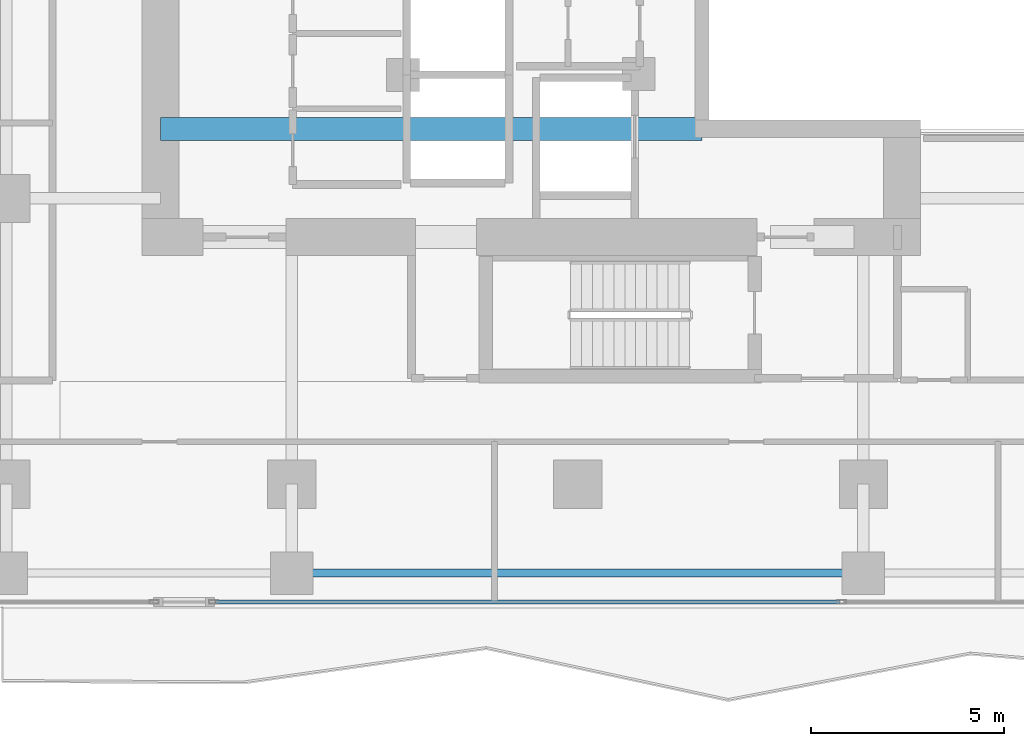
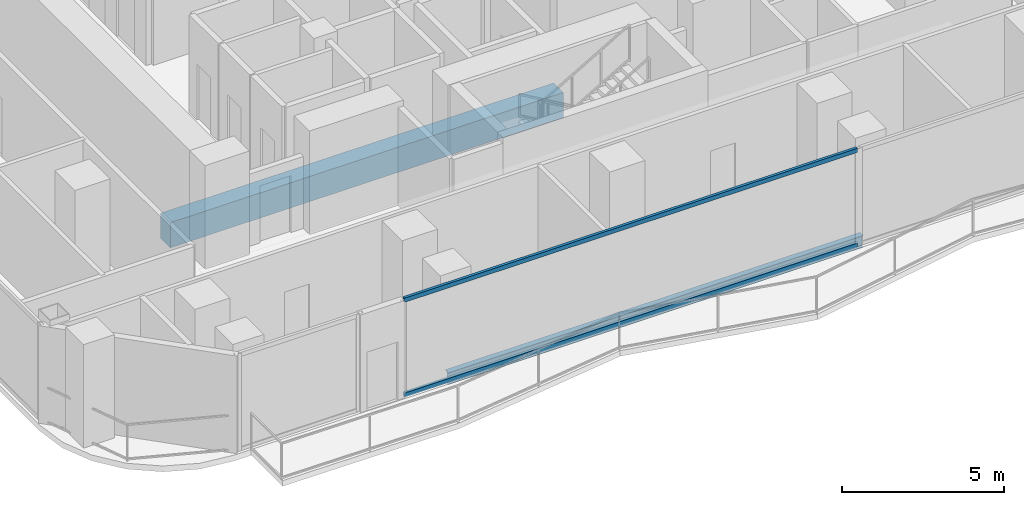
# One storey, part 3 of 27: 2 beams, 2 members, 1 element without a shape of its own.
"""IFC4 building model written with IfcOpenShell, lengths in metres."""

import ifcopenshell
import ifcopenshell.guid

model = None  # the IFC model being written
_history = None  # IfcOwnerHistory: only IFC2X3 demands one
_inside = {}  # id of a spatial element -> (the spatial element, [elements in it])
_under = {}  # id of a project, library or spatial element -> (it, [spatial elements below it])
_declared = {}  # id of a project -> (the project, [libraries it declares])
_typed = {}  # id of a type object -> (the type object, [elements of that type])
_made_of = {}  # id of a material, layer set ... -> (it, [elements and type objects made of it])


def new_model(schema):
    """Start an empty IFC model of exactly this schema.

    Asked for "IFC4X3", IfcOpenShell would pick the latest addendum, in which some entities
    have other attributes; the version numbers below select the first issue.
    IFC2X3 requires an IfcOwnerHistory on every rooted entity: one is made here for all.
    """
    global model, _history
    if schema == "IFC4X3":
        model = ifcopenshell.file(schema_version=(4, 3, 0, 0))
    else:
        model = ifcopenshell.file(schema=schema)
    _inside.clear()
    _under.clear()
    _declared.clear()
    _typed.clear()
    _made_of.clear()
    _history = None
    if model.schema == "IFC2X3":
        org = make("IfcOrganization", Name="unknown")
        user = make(
            "IfcPersonAndOrganization",
            ThePerson=make("IfcPerson", FamilyName="unknown"),
            TheOrganization=org,
        )
        app = make(
            "IfcApplication",
            ApplicationDeveloper=org,
            Version="unknown",
            ApplicationFullName="unknown",
            ApplicationIdentifier="unknown",
        )
        _history = make(
            "IfcOwnerHistory",
            OwningUser=user,
            OwningApplication=app,
            ChangeAction="ADDED",
            CreationDate=0,
        )
    return model


def make(cls, **values):
    """One entity of the class cls with the attributes given. An attribute that is None is left unset."""
    return model.create_entity(
        cls, **{name: value for name, value in values.items() if value is not None}
    )


def rooted(cls, **values):
    """An entity with a GlobalId (a new one), such as an element, a storey or a relation."""
    return make(cls, GlobalId=ifcopenshell.guid.new(), OwnerHistory=_history, **values)


def si_unit(unit_type, name, prefix=None):
    """IfcSIUnit, for example si_unit("LENGTHUNIT", "METRE", prefix="MILLI")."""
    return make("IfcSIUnit", UnitType=unit_type, Prefix=prefix, Name=name)


def assignment(units):
    """IfcUnitAssignment: the units of a project."""
    return None if units is None else make("IfcUnitAssignment", Units=units)


def point(xyz):
    """IfcCartesianPoint."""
    return None if xyz is None else make("IfcCartesianPoint", Coordinates=xyz)


def direction(xyz):
    """IfcDirection."""
    return None if xyz is None else make("IfcDirection", DirectionRatios=xyz)


def frame(location, z_axis=None, x_axis=None):
    """IfcAxis2Placement3D, a coordinate frame: its origin and axes. An axis left out is left unset."""
    return make(
        "IfcAxis2Placement3D",
        Location=point(location),
        Axis=direction(z_axis),
        RefDirection=direction(x_axis),
    )


def frame_2d(location, x_axis=None):
    """IfcAxis2Placement2D, a coordinate frame in the plane: its origin and x axis."""
    return make(
        "IfcAxis2Placement2D", Location=point(location), RefDirection=direction(x_axis)
    )


def origin():
    """The frame at (0, 0, 0) with its axes left unset."""
    return frame((0.0, 0.0, 0.0))


def origin_2d():
    """The frame at (0, 0) in the plane with its x axis left unset."""
    return frame_2d((0.0, 0.0))


def place(relative_to, where):
    """IfcLocalPlacement: puts the frame where relative to a parent placement (None: the world)."""
    return make(
        "IfcLocalPlacement", PlacementRelTo=relative_to, RelativePlacement=where
    )


def context(
    kind, dimensions, precision=None, world=None, true_north=None, identifier=None
):
    """IfcGeometricRepresentationContext, for example the 3D "Model" context."""
    return make(
        "IfcGeometricRepresentationContext",
        ContextIdentifier=identifier,
        ContextType=kind,
        CoordinateSpaceDimension=dimensions,
        Precision=precision,
        WorldCoordinateSystem=world,
        TrueNorth=true_north,
    )


def subcontext(parent, identifier, kind, view, scale=None):
    """IfcGeometricRepresentationSubContext, for example "Body" below "Model"."""
    return make(
        "IfcGeometricRepresentationSubContext",
        ContextIdentifier=identifier,
        ContextType=kind,
        ParentContext=parent,
        TargetScale=scale,
        TargetView=view,
    )


def project(units=None, contexts=None):
    """IfcProject with its units and contexts."""
    return rooted(
        "IfcProject",
        Name="project",
        RepresentationContexts=contexts,
        UnitsInContext=assignment(units),
    )


def spatial(cls, under=None, at=None, **own):
    """A site, building, storey or space (cls), placed at a placement, below another one or the project."""
    s = rooted(cls, ObjectPlacement=at, **own)
    if under is not None:
        _under.setdefault(under.id(), (under, []))[1].append(s)
    return s


def profile(cls, at=None, kind="AREA", **sizes):
    """A parametric profile (cls). Its sizes go by their IFC names, for example OverallWidth=200.0."""
    return make(cls, ProfileType=kind, Position=at, **sizes)


def rectangle(**sizes):
    """IfcRectangleProfileDef."""
    return profile("IfcRectangleProfileDef", **sizes)


def hollow_rectangle(**sizes):
    """IfcRectangleHollowProfileDef."""
    return profile("IfcRectangleHollowProfileDef", **sizes)


def i_section(**sizes):
    """IfcIShapeProfileDef."""
    return profile("IfcIShapeProfileDef", **sizes)


def extrude(swept, where, along, depth):
    """IfcExtrudedAreaSolid: the profile swept, set in the frame where, extruded along a direction by depth."""
    return make(
        "IfcExtrudedAreaSolid",
        SweptArea=swept,
        Position=where,
        ExtrudedDirection=direction(along),
        Depth=depth,
    )


def shape(context_of_items, identifier, shape_type, items):
    """IfcShapeRepresentation: the items that make up one representation, for example the "Body"."""
    return make(
        "IfcShapeRepresentation",
        ContextOfItems=context_of_items,
        RepresentationIdentifier=identifier,
        RepresentationType=shape_type,
        Items=items,
    )


def material(Name=None, Category=None):
    """IfcMaterial."""
    return make("IfcMaterial", Name=Name, Category=Category)


def layer(
    of_material, thickness, ventilated=None, Name=None, Category=None, Priority=None
):
    """IfcMaterialLayer: one layer of a wall or slab, of a material (None: an air gap)."""
    return make(
        "IfcMaterialLayer",
        Material=of_material,
        LayerThickness=thickness,
        IsVentilated=ventilated,
        Name=Name,
        Category=Category,
        Priority=Priority,
    )


def layer_set(layers, Name=None):
    """IfcMaterialLayerSet."""
    return make("IfcMaterialLayerSet", MaterialLayers=layers, LayerSetName=Name)


def material_profile(
    of_material, cross_section, Name=None, Category=None, Priority=None
):
    """IfcMaterialProfile: a cross section and its material."""
    return make(
        "IfcMaterialProfile",
        Name=Name,
        Material=of_material,
        Profile=cross_section,
        Priority=Priority,
        Category=Category,
    )


def profile_set(profiles, Name=None, composite=None):
    """IfcMaterialProfileSet."""
    return make(
        "IfcMaterialProfileSet",
        Name=Name,
        MaterialProfiles=profiles,
        CompositeProfile=composite,
    )


def made_of(thing, what):
    """Note that an element or type object is made of a material, layer set ...; save() writes the relation."""
    if what is not None:
        _made_of.setdefault(what.id(), (what, []))[1].append(thing)
    return thing


def type_object(cls, material=None, **own):
    """A type object (cls), such as IfcWallType, which elements share."""
    return made_of(rooted(cls, **own), material)


def element(
    cls,
    number,
    at=None,
    inside=None,
    cuts=None,
    type_object=None,
    material=None,
    context=None,
    identifier="Body",
    shape_type=None,
    held_by="IfcProductDefinitionShape",
    body=None,
    shapes=None,
    **own,
):
    """One element of the class cls, such as IfcWall. Its Tag is "e" and its number.

    at: its placement. inside: the storey or other place that contains it. cuts: it is an
    opening in that element (IfcRelVoidsElement). A single representation is given by context,
    identifier, shape_type and body (its items); several are given by shapes. held_by: the class
    of the entity that holds the representations. save() writes the other relations.
    """
    e = rooted(cls, Tag="e%d" % number, ObjectPlacement=at, **own)
    if body is not None:
        shapes = [shape(context, identifier, shape_type, body)]
    if shapes is not None:
        e.Representation = make(held_by, Representations=shapes)
    if inside is not None:
        _inside.setdefault(inside.id(), (inside, []))[1].append(e)
    if cuts is not None:
        rooted(
            "IfcRelVoidsElement", RelatingBuildingElement=cuts, RelatedOpeningElement=e
        )
    if type_object is not None:
        _typed.setdefault(type_object.id(), (type_object, []))[1].append(e)
    return made_of(e, material)


def aggregate(whole, parts):
    """IfcRelAggregates: a whole, such as a stair, and the parts it consists of."""
    return rooted("IfcRelAggregates", RelatingObject=whole, RelatedObjects=parts)


def save(model, path):
    """Write the relations noted so far, then the file.

    IfcRelAggregates (storeys below a building ...), IfcRelContainedInSpatialStructure (elements
    in a storey), IfcRelDefinesByType, IfcRelAssociatesMaterial and IfcRelDeclares: one each for
    every whole, place, type object, material and project.
    """
    for whole, parts in _under.values():
        aggregate(whole, parts)
    for where, things in _inside.values():
        rooted(
            "IfcRelContainedInSpatialStructure",
            RelatedElements=things,
            RelatingStructure=where,
        )
    for kind, things in _typed.values():
        rooted("IfcRelDefinesByType", RelatedObjects=things, RelatingType=kind)
    for what, things in _made_of.values():
        rooted("IfcRelAssociatesMaterial", RelatedObjects=things, RelatingMaterial=what)
    for by, libraries in _declared.values():
        rooted("IfcRelDeclares", RelatingContext=by, RelatedDefinitions=libraries)
    model.write(path)


model = new_model("IFC4")

# Units and contexts
model_context = context("Model", 3, precision=1e-05, world=origin(), true_north=direction((0.0, 1.0)))
body_context = subcontext(model_context, "Body", "Model", "MODEL_VIEW")
ifc_project = project(units=[si_unit("LENGTHUNIT", "METRE"), si_unit("AREAUNIT", "SQUARE_METRE"), si_unit("VOLUMEUNIT", "CUBIC_METRE"), si_unit("PLANEANGLEUNIT", "RADIAN"), si_unit("MASSUNIT", "GRAM", prefix="KILO")], contexts=[model_context])

# Site, building, storey
site_placement = place(None, origin())
site = spatial("IfcSite", under=ifc_project, at=site_placement, CompositionType="ELEMENT")
building_placement = place(site_placement, origin())
building = spatial("IfcBuilding", under=site, at=building_placement, Name="Khorvyn Point Tower", CompositionType="ELEMENT")
storey_placement = place(building_placement, frame((0.0, 0.0, 125.10009765625)))
storey = spatial("IfcBuildingStorey", under=building, at=storey_placement, Name="L31", CompositionType="ELEMENT", Elevation=125.10009765625)

# Curtain wall, members
ifc_material_1 = material(Name="Anodised aluminium 6063-T6 and laminated Low-E glass", Category="aluminium")
ifc_layer = layer(ifc_material_1, 0.18994140625)
ifc_layer_set = layer_set([ifc_layer], Name="Stick-Built Acoustic Curtain Wall CW-SYS-03")
curtain_wall_type = type_object("IfcCurtainWallType", Name="Stick-Built Acoustic Curtain Wall CW-SYS-03", PredefinedType="NOTDEFINED", material=ifc_layer_set)
curtain_wall_placement = place(storey_placement, origin())
curtain_wall = element("IfcCurtainWall", 1, at=curtain_wall_placement, inside=storey, type_object=curtain_wall_type, Name="Curtain Wall", PredefinedType="NOTDEFINED")
ifc_material_2 = material(Name="Anodised aluminium 6063-T6", Category="aluminium")
ifc_material_profile_1 = material_profile(ifc_material_2, hollow_rectangle(XDim=0.10009765625, YDim=0.159912109375, WallThickness=0.00439453125, at=origin_2d()))
ifc_profile_set_1 = profile_set([ifc_material_profile_1], Name="Anodised aluminium 6063-T6 ALU-TRN-100x160")
member_type = type_object("IfcMemberType", Name="Anodised Aluminium 6063-T6 Transom ALU-TRN-100x160", PredefinedType="USERDEFINED", material=ifc_profile_set_1)
member_1_placement = place(storey_placement, frame((6.78857421875, -17.85009765625, 0.0498046875), z_axis=(-1.0, 0.0, 0.0), x_axis=(0.0, -1.0, 0.0)))
member_1 = element("IfcMember", 2, at=member_1_placement, type_object=member_type, Name="Transom", ObjectType="TRANSOM", PredefinedType="USERDEFINED", context=body_context, shape_type="SweptSolid", body=[
    extrude(hollow_rectangle(XDim=0.10009765625, YDim=0.159912109375, WallThickness=0.00439453125, at=origin_2d()), origin(), (0.0, 0.0, 1.0), 16.16162109375),
])
member_2_placement = place(storey_placement, frame((6.78857421875, -17.85009765625, 3.6298828125), z_axis=(-1.0, 0.0, 0.0), x_axis=(0.0, -1.0, 0.0)))
member_2 = element("IfcMember", 3, at=member_2_placement, type_object=member_type, Name="Transom", ObjectType="TRANSOM", PredefinedType="USERDEFINED", context=body_context, shape_type="SweptSolid", body=[
    extrude(hollow_rectangle(XDim=0.10009765625, YDim=0.159912109375, WallThickness=0.00439453125, at=origin_2d()), origin(), (0.0, 0.0, 1.0), 16.16162109375),
])
aggregate(curtain_wall, [member_1, member_2])

# Beams
ifc_material_3 = material(Name="Concrete C50/60", Category="concrete")
ifc_material_profile_2 = material_profile(ifc_material_3, rectangle(XDim=0.60009765625, YDim=0.949951171875, at=origin_2d()))
ifc_profile_set_2 = profile_set([ifc_material_profile_2], Name="Concrete C50/60 RC600x950")
beam_type_1 = type_object("IfcBeamType", Name="Concrete C50/60 Beam RC600x950", PredefinedType="BEAM", material=ifc_profile_set_2)
beam_1_placement = place(storey_placement, frame((-10.800048828125, -5.60009765625, -0.695068359375), z_axis=(1.0, 0.0, 0.0), x_axis=(0.0, 1.0, 0.0)))
element("IfcBeam", 4, at=beam_1_placement, inside=storey, type_object=beam_type_1, Name="L31 Core Internal Tie Girder S", PredefinedType="BEAM", context=body_context, shape_type="SweptSolid", body=[
    extrude(rectangle(XDim=0.60009765625, YDim=0.949951171875, at=origin_2d()), origin(), (0.0, 0.0, 1.0), 14.02001953125),
])
ifc_material_4 = material(Name="Steel S355", Category="steel")
ifc_material_profile_3 = material_profile(ifc_material_4, i_section(OverallWidth=0.199951171875, OverallDepth=0.449951171875, WebThickness=0.009033203125, FlangeThickness=0.013916015625, at=origin_2d()))
ifc_profile_set_3 = profile_set([ifc_material_profile_3], Name="Steel S355 H450x200x9x14")
beam_type_2 = type_object("IfcBeamType", Name="Steel S355 Spandrel H450x200x9x14", PredefinedType="SPANDREL", material=ifc_profile_set_3)
beam_2_placement = place(storey_placement, frame((-7.39990234375, -17.10009765625, -0.445068359375), z_axis=(1.0, 0.0, 0.0), x_axis=(0.0, 1.0, 0.0)))
element("IfcBeam", 5, at=beam_2_placement, inside=storey, type_object=beam_type_2, Name="Beam", PredefinedType="SPANDREL", context=body_context, shape_type="SweptSolid", body=[
    extrude(i_section(OverallWidth=0.199951171875, OverallDepth=0.449951171875, WebThickness=0.009033203125, FlangeThickness=0.013916015625, at=origin_2d()), origin(), (0.0, 0.0, 1.0), 14.7998046875),
])

save(model, "model.ifc")
